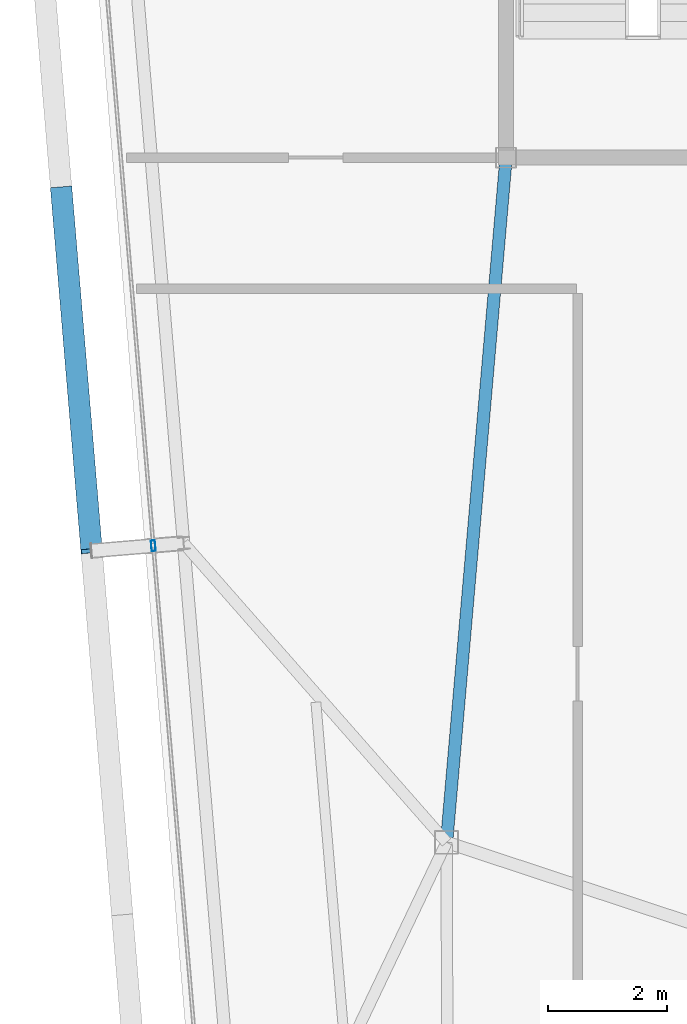
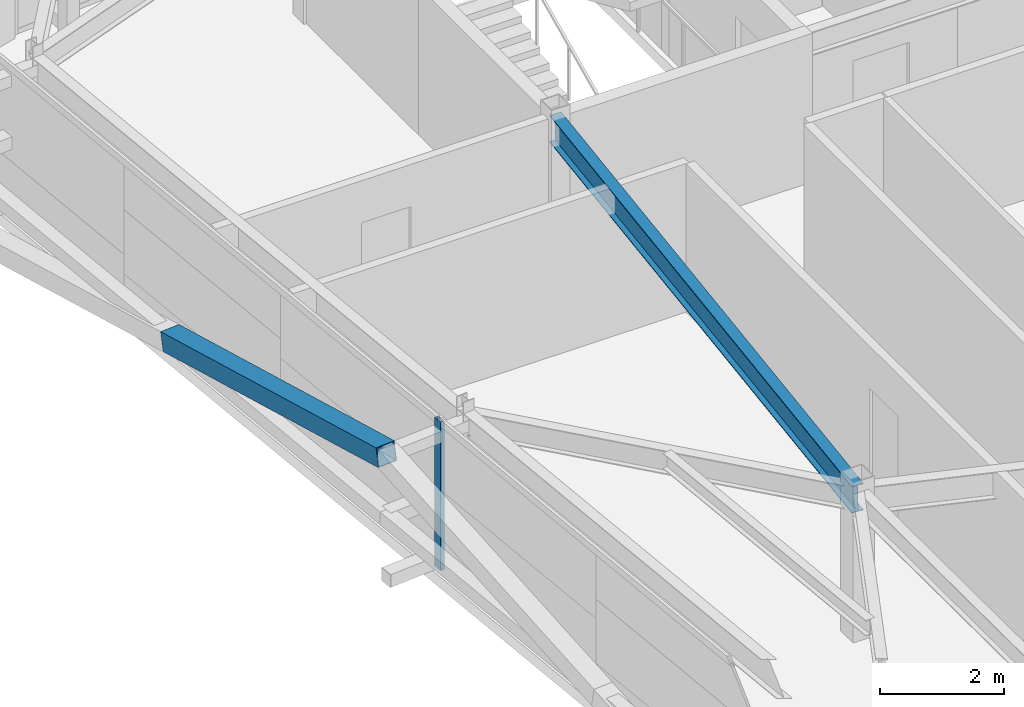
# One storey, part 12 of 39: 2 members, 1 beam, 1 element without a shape of its own.
"""IFC4 building model written with IfcOpenShell, lengths in metres."""

from ifc_helpers import new_model, si_unit, direction, frame, origin, origin_2d, place, context, subcontext, project, spatial, hollow_rectangle, i_section, extrude, source, transform, mapped, material, layer, layer_set, material_profile, profile_set, type_object, element, aggregate, save


model = new_model("IFC4")

# Units and contexts
model_context = context("Model", 3, precision=1e-05, world=origin(), true_north=direction((0.0, 1.0)))
body_context = subcontext(model_context, "Body", "Model", "MODEL_VIEW")
ifc_project = project(units=[si_unit("LENGTHUNIT", "METRE"), si_unit("AREAUNIT", "SQUARE_METRE"), si_unit("VOLUMEUNIT", "CUBIC_METRE"), si_unit("PLANEANGLEUNIT", "RADIAN"), si_unit("MASSUNIT", "GRAM", prefix="KILO")], contexts=[model_context])

# Site, building, storey
site_placement = place(None, origin())
site = spatial("IfcSite", under=ifc_project, at=site_placement, CompositionType="ELEMENT")
building_placement = place(site_placement, origin())
building = spatial("IfcBuilding", under=site, at=building_placement, Name="Taldren Reach Tower", CompositionType="ELEMENT")
storey_placement = place(building_placement, frame((0.0, 0.0, 197.75)))
storey = spatial("IfcBuildingStorey", under=building, at=storey_placement, Name="L60", CompositionType="ELEMENT", Elevation=197.75)

# Beam
ifc_material_1 = material(Name="Steel Gr 350 (350PLUS)", Category="steel")
ifc_material_profile_1 = material_profile(ifc_material_1, i_section(OverallWidth=0.208984375, OverallDepth=0.532958984375, WebThickness=0.01025390625, FlangeThickness=0.015625, at=origin_2d()), Name="530UB92.4")
ifc_profile_set_1 = profile_set([ifc_material_profile_1], Name="Steel Gr 350 (350PLUS)")
beam_type = type_object("IfcBeamType", Name="BM-UB530A", PredefinedType="BEAM", material=ifc_profile_set_1)
shared_shape_1 = source(origin(), body_context, "Body", "SweptSolid", [
    extrude(i_section(OverallWidth=0.208984375, OverallDepth=0.532958984375, WebThickness=0.01025390625, FlangeThickness=0.015625, at=origin_2d()), origin(), (0.0, 0.0, 1.0), 11.54345703125),
])
beam_placement = place(storey_placement, frame((19.0, 24.0, 2.66357421875), z_axis=(-0.086629616365, -0.996240588196, 0.0), x_axis=(0.996240588196, -0.086629616365, 0.0)))
element("IfcBeam", 1, at=beam_placement, inside=storey, type_object=beam_type, Name="Core-spine girder L60-SP09", PredefinedType="BEAM", context=body_context, shape_type="MappedRepresentation", body=[
    mapped(shared_shape_1, transform((0.0, 0.0, 0.0), scale=1.0)),
])

# Member
ifc_material_2 = material(Name="Steel Gr 450 (C450L0)", Category="steel")
ifc_material_profile_2 = material_profile(ifc_material_2, hollow_rectangle(XDim=0.360107421875, YDim=0.360107421875, WallThickness=0.0126953125, at=origin_2d()), Name="360x360x12.7SHS")
ifc_profile_set_2 = profile_set([ifc_material_profile_2], Name="Steel Gr 450 (C450L0)")
member_type_1 = type_object("IfcMemberType", Name="MB-EXO356", PredefinedType="BRACE", material=ifc_profile_set_2)
shared_shape_2 = source(origin(), body_context, "Body", "SweptSolid", [
    extrude(hollow_rectangle(XDim=0.360107421875, YDim=0.360107421875, WallThickness=0.0126953125, at=origin_2d()), origin(), (0.0, 0.0, 1.0), 6.2197265625),
])
member_1_placement = place(storey_placement, frame((11.52783203125, 23.47412109375, 1.43505859375), z_axis=(0.082037206294, -0.977302565702, 0.195319205034), x_axis=(0.996495340012, 0.08364829547, 0.0)))
element("IfcMember", 2, at=member_1_placement, inside=storey, type_object=member_type_1, Name="Exoskeleton Diagrid Brace B4-W2 L60", PredefinedType="BRACE", context=body_context, shape_type="MappedRepresentation", body=[
    mapped(shared_shape_2, transform((0.0, 0.0, 0.0), scale=1.0)),
])

# Curtain wall, member
ifc_material_3 = material(Name="Aluminium and Low-E Glass Unitised System", Category="aluminium")
ifc_layer = layer(ifc_material_3, 0.159912109375)
ifc_layer_set = layer_set([ifc_layer], Name="Aluminium and Low-E Glass Unitised System")
curtain_wall_type = type_object("IfcCurtainWallType", Name="CW-SYS-5", PredefinedType="NOTDEFINED", material=ifc_layer_set)
curtain_wall_placement = place(storey_placement, origin())
curtain_wall = element("IfcCurtainWall", 3, at=curtain_wall_placement, inside=storey, type_object=curtain_wall_type, Name="Unitised curtain wall CW-L60-W", PredefinedType="NOTDEFINED")
ifc_material_4 = material(Name="Anodised Aluminium 6063-T6", Category="aluminium")
ifc_material_profile_3 = material_profile(ifc_material_4, hollow_rectangle(XDim=0.070068359375, YDim=0.179931640625, WallThickness=0.00390625, at=origin_2d()), Name="ALU-180x70x4RHS")
ifc_profile_set_3 = profile_set([ifc_material_profile_3], Name="Anodised Aluminium 6063-T6")
member_type_2 = type_object("IfcMemberType", Name="CW-MUL-180", PredefinedType="MULLION", material=ifc_profile_set_3)
shared_shape_3 = source(origin(), body_context, "Body", "SweptSolid", [
    extrude(hollow_rectangle(XDim=0.070068359375, YDim=0.179931640625, WallThickness=0.00390625, at=origin_2d()), origin(), (0.0, 0.0, 1.0), 2.929931640625),
])
member_2_placement = place(storey_placement, frame((13.074462890625, 17.482421875, 0.0), z_axis=(0.0, 0.0, 1.0), x_axis=(0.996492847789, 0.083677979808, 0.0)))
member_2 = element("IfcMember", 4, at=member_2_placement, type_object=member_type_2, Name="CW-5 mullion 2", PredefinedType="MULLION", context=body_context, shape_type="MappedRepresentation", body=[
    mapped(shared_shape_3, transform((0.0, 0.0, 0.0), scale=1.0)),
])
aggregate(curtain_wall, [member_2])

save(model, "model.ifc")
